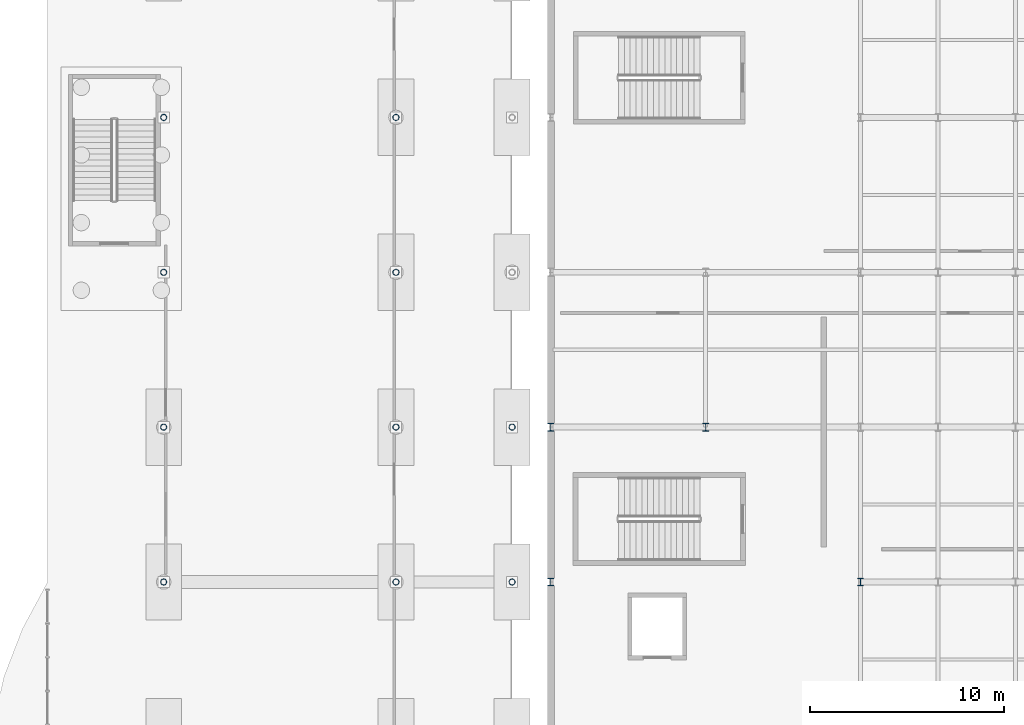
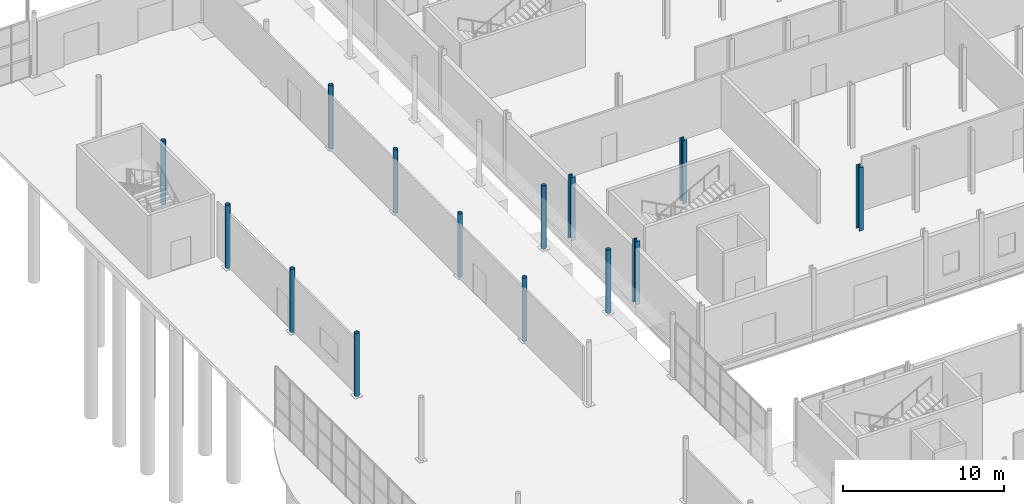
# One storey, part 20 of 101: 14 columns.
"""IFC4 building model written with IfcOpenShell, lengths in metres."""

import ifcopenshell
import ifcopenshell.guid

model = None  # the IFC model being written
_history = None  # IfcOwnerHistory: only IFC2X3 demands one
_inside = {}  # id of a spatial element -> (the spatial element, [elements in it])
_under = {}  # id of a project, library or spatial element -> (it, [spatial elements below it])
_declared = {}  # id of a project -> (the project, [libraries it declares])
_typed = {}  # id of a type object -> (the type object, [elements of that type])
_made_of = {}  # id of a material, layer set ... -> (it, [elements and type objects made of it])


def new_model(schema):
    """Start an empty IFC model of exactly this schema.

    Asked for "IFC4X3", IfcOpenShell would pick the latest addendum, in which some entities
    have other attributes; the version numbers below select the first issue.
    IFC2X3 requires an IfcOwnerHistory on every rooted entity: one is made here for all.
    """
    global model, _history
    if schema == "IFC4X3":
        model = ifcopenshell.file(schema_version=(4, 3, 0, 0))
    else:
        model = ifcopenshell.file(schema=schema)
    _inside.clear()
    _under.clear()
    _declared.clear()
    _typed.clear()
    _made_of.clear()
    _history = None
    if model.schema == "IFC2X3":
        org = make("IfcOrganization", Name="unknown")
        user = make(
            "IfcPersonAndOrganization",
            ThePerson=make("IfcPerson", FamilyName="unknown"),
            TheOrganization=org,
        )
        app = make(
            "IfcApplication",
            ApplicationDeveloper=org,
            Version="unknown",
            ApplicationFullName="unknown",
            ApplicationIdentifier="unknown",
        )
        _history = make(
            "IfcOwnerHistory",
            OwningUser=user,
            OwningApplication=app,
            ChangeAction="ADDED",
            CreationDate=0,
        )
    return model


def make(cls, **values):
    """One entity of the class cls with the attributes given. An attribute that is None is left unset."""
    return model.create_entity(
        cls, **{name: value for name, value in values.items() if value is not None}
    )


def rooted(cls, **values):
    """An entity with a GlobalId (a new one), such as an element, a storey or a relation."""
    return make(cls, GlobalId=ifcopenshell.guid.new(), OwnerHistory=_history, **values)


def si_unit(unit_type, name, prefix=None):
    """IfcSIUnit, for example si_unit("LENGTHUNIT", "METRE", prefix="MILLI")."""
    return make("IfcSIUnit", UnitType=unit_type, Prefix=prefix, Name=name)


def derived_unit(unit_type, elements):
    """IfcDerivedUnit: a product of units, each with its exponent."""
    return make(
        "IfcDerivedUnit",
        Elements=[
            make("IfcDerivedUnitElement", Unit=unit, Exponent=power)
            for unit, power in elements
        ],
        UnitType=unit_type,
    )


def assignment(units):
    """IfcUnitAssignment: the units of a project."""
    return None if units is None else make("IfcUnitAssignment", Units=units)


def point(xyz):
    """IfcCartesianPoint."""
    return None if xyz is None else make("IfcCartesianPoint", Coordinates=xyz)


def direction(xyz):
    """IfcDirection."""
    return None if xyz is None else make("IfcDirection", DirectionRatios=xyz)


def frame(location, z_axis=None, x_axis=None):
    """IfcAxis2Placement3D, a coordinate frame: its origin and axes. An axis left out is left unset."""
    return make(
        "IfcAxis2Placement3D",
        Location=point(location),
        Axis=direction(z_axis),
        RefDirection=direction(x_axis),
    )


def frame_2d(location, x_axis=None):
    """IfcAxis2Placement2D, a coordinate frame in the plane: its origin and x axis."""
    return make(
        "IfcAxis2Placement2D", Location=point(location), RefDirection=direction(x_axis)
    )


def origin():
    """The frame at (0, 0, 0) with its axes left unset."""
    return frame((0.0, 0.0, 0.0))


def origin_2d():
    """The frame at (0, 0) in the plane with its x axis left unset."""
    return frame_2d((0.0, 0.0))


def place(relative_to, where):
    """IfcLocalPlacement: puts the frame where relative to a parent placement (None: the world)."""
    return make(
        "IfcLocalPlacement", PlacementRelTo=relative_to, RelativePlacement=where
    )


def context(
    kind, dimensions, precision=None, world=None, true_north=None, identifier=None
):
    """IfcGeometricRepresentationContext, for example the 3D "Model" context."""
    return make(
        "IfcGeometricRepresentationContext",
        ContextIdentifier=identifier,
        ContextType=kind,
        CoordinateSpaceDimension=dimensions,
        Precision=precision,
        WorldCoordinateSystem=world,
        TrueNorth=true_north,
    )


def subcontext(parent, identifier, kind, view, scale=None):
    """IfcGeometricRepresentationSubContext, for example "Body" below "Model"."""
    return make(
        "IfcGeometricRepresentationSubContext",
        ContextIdentifier=identifier,
        ContextType=kind,
        ParentContext=parent,
        TargetScale=scale,
        TargetView=view,
    )


def project(units=None, contexts=None):
    """IfcProject with its units and contexts."""
    return rooted(
        "IfcProject",
        Name="project",
        RepresentationContexts=contexts,
        UnitsInContext=assignment(units),
    )


def spatial(cls, under=None, at=None, **own):
    """A site, building, storey or space (cls), placed at a placement, below another one or the project."""
    s = rooted(cls, ObjectPlacement=at, **own)
    if under is not None:
        _under.setdefault(under.id(), (under, []))[1].append(s)
    return s


def profile(cls, at=None, kind="AREA", **sizes):
    """A parametric profile (cls). Its sizes go by their IFC names, for example OverallWidth=200.0."""
    return make(cls, ProfileType=kind, Position=at, **sizes)


def hollow_circle(**sizes):
    """IfcCircleHollowProfileDef."""
    return profile("IfcCircleHollowProfileDef", **sizes)


def i_section(**sizes):
    """IfcIShapeProfileDef."""
    return profile("IfcIShapeProfileDef", **sizes)


def extrude(swept, where, along, depth):
    """IfcExtrudedAreaSolid: the profile swept, set in the frame where, extruded along a direction by depth."""
    return make(
        "IfcExtrudedAreaSolid",
        SweptArea=swept,
        Position=where,
        ExtrudedDirection=direction(along),
        Depth=depth,
    )


def shape(context_of_items, identifier, shape_type, items):
    """IfcShapeRepresentation: the items that make up one representation, for example the "Body"."""
    return make(
        "IfcShapeRepresentation",
        ContextOfItems=context_of_items,
        RepresentationIdentifier=identifier,
        RepresentationType=shape_type,
        Items=items,
    )


def material(Name=None, Category=None):
    """IfcMaterial."""
    return make("IfcMaterial", Name=Name, Category=Category)


def material_profile(
    of_material, cross_section, Name=None, Category=None, Priority=None
):
    """IfcMaterialProfile: a cross section and its material."""
    return make(
        "IfcMaterialProfile",
        Name=Name,
        Material=of_material,
        Profile=cross_section,
        Priority=Priority,
        Category=Category,
    )


def profile_set(profiles, Name=None, composite=None):
    """IfcMaterialProfileSet."""
    return make(
        "IfcMaterialProfileSet",
        Name=Name,
        MaterialProfiles=profiles,
        CompositeProfile=composite,
    )


def made_of(thing, what):
    """Note that an element or type object is made of a material, layer set ...; save() writes the relation."""
    if what is not None:
        _made_of.setdefault(what.id(), (what, []))[1].append(thing)
    return thing


def type_object(cls, material=None, **own):
    """A type object (cls), such as IfcWallType, which elements share."""
    return made_of(rooted(cls, **own), material)


def element(
    cls,
    number,
    at=None,
    inside=None,
    cuts=None,
    type_object=None,
    material=None,
    context=None,
    identifier="Body",
    shape_type=None,
    held_by="IfcProductDefinitionShape",
    body=None,
    shapes=None,
    **own,
):
    """One element of the class cls, such as IfcWall. Its Tag is "e" and its number.

    at: its placement. inside: the storey or other place that contains it. cuts: it is an
    opening in that element (IfcRelVoidsElement). A single representation is given by context,
    identifier, shape_type and body (its items); several are given by shapes. held_by: the class
    of the entity that holds the representations. save() writes the other relations.
    """
    e = rooted(cls, Tag="e%d" % number, ObjectPlacement=at, **own)
    if body is not None:
        shapes = [shape(context, identifier, shape_type, body)]
    if shapes is not None:
        e.Representation = make(held_by, Representations=shapes)
    if inside is not None:
        _inside.setdefault(inside.id(), (inside, []))[1].append(e)
    if cuts is not None:
        rooted(
            "IfcRelVoidsElement", RelatingBuildingElement=cuts, RelatedOpeningElement=e
        )
    if type_object is not None:
        _typed.setdefault(type_object.id(), (type_object, []))[1].append(e)
    return made_of(e, material)


def aggregate(whole, parts):
    """IfcRelAggregates: a whole, such as a stair, and the parts it consists of."""
    return rooted("IfcRelAggregates", RelatingObject=whole, RelatedObjects=parts)


def save(model, path):
    """Write the relations noted so far, then the file.

    IfcRelAggregates (storeys below a building ...), IfcRelContainedInSpatialStructure (elements
    in a storey), IfcRelDefinesByType, IfcRelAssociatesMaterial and IfcRelDeclares: one each for
    every whole, place, type object, material and project.
    """
    for whole, parts in _under.values():
        aggregate(whole, parts)
    for where, things in _inside.values():
        rooted(
            "IfcRelContainedInSpatialStructure",
            RelatedElements=things,
            RelatingStructure=where,
        )
    for kind, things in _typed.values():
        rooted("IfcRelDefinesByType", RelatedObjects=things, RelatingType=kind)
    for what, things in _made_of.values():
        rooted("IfcRelAssociatesMaterial", RelatedObjects=things, RelatingMaterial=what)
    for by, libraries in _declared.values():
        rooted("IfcRelDeclares", RelatingContext=by, RelatedDefinitions=libraries)
    model.write(path)


model = new_model("IFC4")

# Units and contexts
model_context = context("Model", 3, precision=1e-05, world=origin(), true_north=direction((0.0, 1.0)))
body_context = subcontext(model_context, "Body", "Model", "MODEL_VIEW")
ifc_project = project(units=[si_unit("LENGTHUNIT", "METRE"), si_unit("AREAUNIT", "SQUARE_METRE"), si_unit("VOLUMEUNIT", "CUBIC_METRE"), si_unit("PLANEANGLEUNIT", "RADIAN"), si_unit("MASSUNIT", "GRAM", prefix="KILO"), derived_unit("THERMALTRANSMITTANCEUNIT", [(si_unit("POWERUNIT", "WATT"), 1), (si_unit("LENGTHUNIT", "METRE"), -2), (si_unit("THERMODYNAMICTEMPERATUREUNIT", "KELVIN"), -1)])], contexts=[model_context])

# Site, building, storey
site_placement = place(None, origin())
site = spatial("IfcSite", under=ifc_project, at=site_placement, CompositionType="ELEMENT")
building_placement = place(site_placement, origin())
building = spatial("IfcBuilding", under=site, at=building_placement, Name="Keldorne Ridge Multi-Sports Centre", CompositionType="ELEMENT")
storey_placement = place(building_placement, origin())
storey = spatial("IfcBuildingStorey", under=building, at=storey_placement, Name="L00", CompositionType="ELEMENT", Elevation=0.0)

# Columns
ifc_material = material(Name="Steel S355", Category="steel")
ifc_material_profile_1 = material_profile(ifc_material, hollow_circle(Radius=0.161865234375, WallThickness=0.01611328125, at=origin_2d()), Name="CHS 323.9x16")
ifc_profile_set_1 = profile_set([ifc_material_profile_1], Name="Steel S355")
column_type_1 = type_object("IfcColumnType", Name="COL-C-08", PredefinedType="COLUMN", material=ifc_profile_set_1)
for number, where, z_axis, x_axis, name in (
    (1, (84.0, 74.0, 0.0), (0.0, 0.0, 1.0), (1.0, 0.0, 0.0), "Structural column V4-G12-09 on L00"),
    (2, (96.0, 74.0, 0.0), (0.0, 0.0, 1.0), (1.0, 0.0, 0.0), "Structural column V4-G14-09 on L00"),
    (3, (102.0, 74.0, 0.0), (0.0, 0.0, 1.0), (1.0, 0.0, 0.0), "Structural column V4-G15-09 on L00"),
    (4, (84.0, 82.0, 0.0), (0.0, 0.0, 1.0), (1.0, 0.0, 0.0), "Structural column V4-G12-10 on L00"),
    (5, (96.0, 82.0, 0.0), (0.0, 0.0, 1.0), (1.0, 0.0, 0.0), "Structural column V4-G14-10 on L00"),
    (6, (102.0, 82.0, 0.0), (0.0, 0.0, 1.0), (1.0, 0.0, 0.0), "Structural column V4-G15-10 on L00"),
    (7, (84.0, 90.0, 0.0), (0.0, 0.0, 1.0), (1.0, 0.0, 0.0), "Structural column V4-G12-11 on L00"),
    (8, (96.0, 90.0, 0.0), (0.0, 0.0, 1.0), (1.0, 0.0, 0.0), "Structural column V4-G14-11 on L00"),
    (9, (84.0, 98.0, 0.0), (0.0, 0.0, 1.0), (1.0, 0.0, 0.0), "Structural column V4-G12-12 on L00"),
    (10, (96.0, 98.0, 0.0), (0.0, 0.0, 1.0), (1.0, 0.0, 0.0), "Structural column V4-G14-12 on L00"),
):
    element("IfcColumn", number, at=place(storey_placement, frame(where, z_axis=z_axis, x_axis=x_axis)), inside=storey, type_object=column_type_1, Name=name, PredefinedType="COLUMN", context=body_context, shape_type="SweptSolid", body=[
        extrude(hollow_circle(Radius=0.161865234375, WallThickness=0.01611328125, at=origin_2d()), origin(), (0.0, 0.0, 1.0), 4.800048828125),
    ])
ifc_material_profile_2 = material_profile(ifc_material, i_section(OverallWidth=0.300048828125, OverallDepth=0.39990234375, WebThickness=0.013427734375, FlangeThickness=0.02392578125, FilletRadius=0.027099609375, at=origin_2d()), Name="HEB 400")
ifc_profile_set_2 = profile_set([ifc_material_profile_2], Name="Steel S355")
column_type_2 = type_object("IfcColumnType", Name="COL-C-09", PredefinedType="COLUMN", material=ifc_profile_set_2)
for number, where, z_axis, x_axis, name in (
    (11, (104.0, 74.0, 0.0), (0.0, 0.0, 1.0), (1.0, 0.0, 0.0), "Structural column V5-C-01-02 on L00"),
    (12, (104.0, 82.0, 0.0), (0.0, 0.0, 1.0), (1.0, 0.0, 0.0), "Structural column V5-C-01-03 on L00"),
    (13, (112.0, 82.0, 0.0), (0.0, 0.0, 1.0), (1.0, 0.0, 0.0), "Structural column V5-C-02-03 on L00"),
    (14, (120.0, 74.0, 0.0), (0.0, 0.0, 1.0), (1.0, 0.0, 0.0), "Structural column V5-C-03-02 on L00"),
):
    element("IfcColumn", number, at=place(storey_placement, frame(where, z_axis=z_axis, x_axis=x_axis)), inside=storey, type_object=column_type_2, Name=name, PredefinedType="COLUMN", context=body_context, shape_type="SweptSolid", body=[
        extrude(i_section(OverallWidth=0.300048828125, OverallDepth=0.39990234375, WebThickness=0.013427734375, FlangeThickness=0.02392578125, FilletRadius=0.027099609375, at=origin_2d()), origin(), (0.0, 0.0, 1.0), 4.800048828125),
    ])

save(model, "model.ifc")
